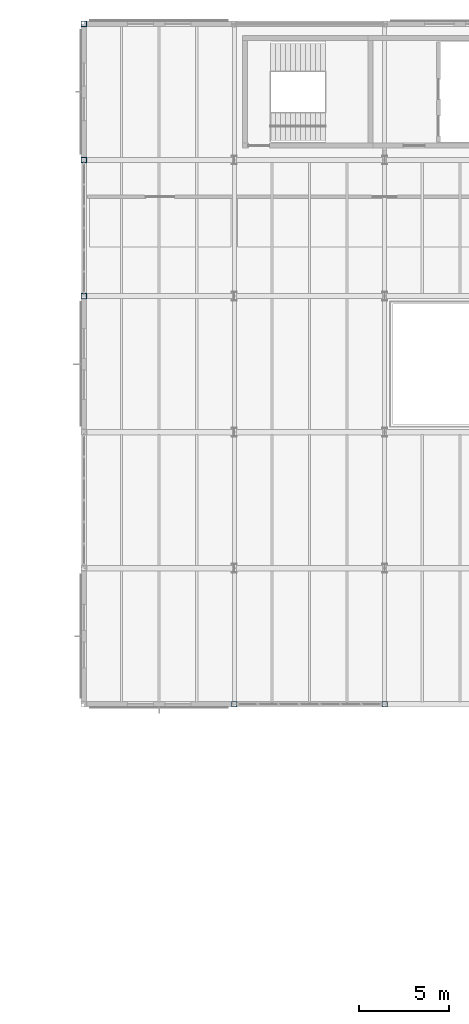
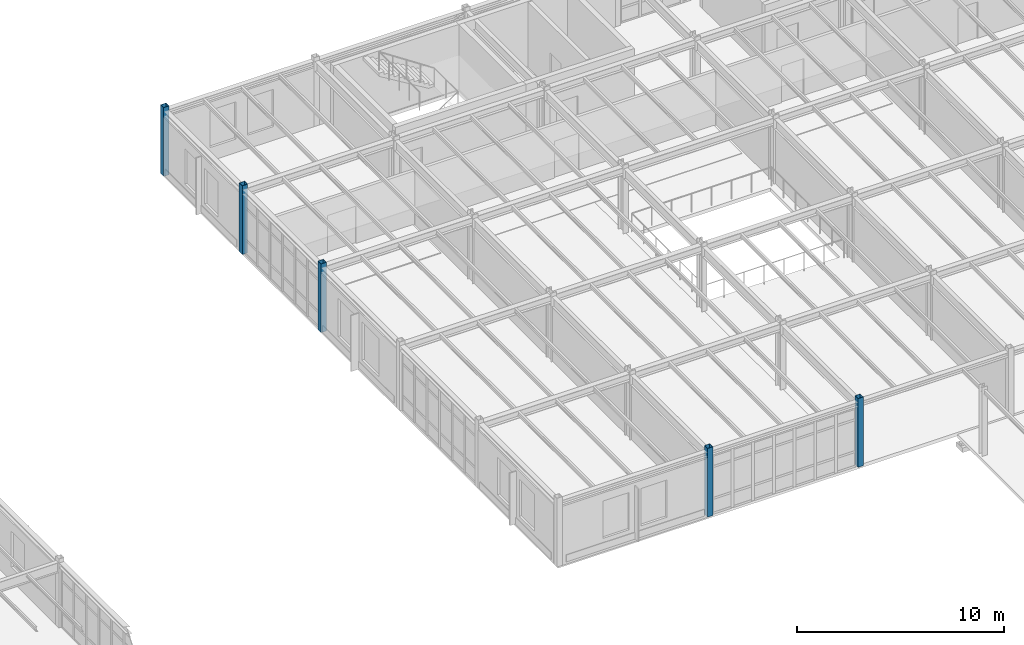
# One storey, part 12 of 165: 5 columns.
"""IFC4 building model written with IfcOpenShell, lengths in metres."""

from ifc_helpers import new_model, si_unit, direction, frame, origin, origin_2d, place, context, subcontext, project, spatial, hollow_rectangle, extrude, material, material_profile, profile_set, type_object, element, save


model = new_model("IFC4")

# Units and contexts
model_context = context("Model", 3, precision=1e-05, world=origin(), true_north=direction((0.0, 1.0)))
body_context = subcontext(model_context, "Body", "Model", "MODEL_VIEW")
ifc_project = project(units=[si_unit("LENGTHUNIT", "METRE"), si_unit("AREAUNIT", "SQUARE_METRE"), si_unit("VOLUMEUNIT", "CUBIC_METRE"), si_unit("PLANEANGLEUNIT", "RADIAN"), si_unit("MASSUNIT", "GRAM", prefix="KILO")], contexts=[model_context])

# Site, building, storey
site_placement = place(None, origin())
site = spatial("IfcSite", under=ifc_project, at=site_placement, CompositionType="ELEMENT")
building_placement = place(site_placement, origin())
building = spatial("IfcBuilding", under=site, at=building_placement, Name="Montecoro Central Library", CompositionType="ELEMENT")
storey_placement = place(building_placement, frame((0.0, 0.0, 5.10009765625)))
storey = spatial("IfcBuildingStorey", under=building, at=storey_placement, Name="L01", CompositionType="ELEMENT", Elevation=5.10009765625)

# Columns
ifc_material = material(Name="Steel S355", Category="steel")
ifc_material_profile = material_profile(ifc_material, hollow_rectangle(XDim=0.300048828125, YDim=0.300048828125, WallThickness=0.012451171875, at=origin_2d()), Name="SHS 300x300x12.5")
ifc_profile_set = profile_set([ifc_material_profile], Name="Steel S355")
column_type = type_object("IfcColumnType", Name="COL-SHS300", PredefinedType="COLUMN", material=ifc_profile_set)
for number, where, z_axis, x_axis, name in (
    (1, (66.39990234375, 103.800048828125, 0.0), (0.0, 0.0, 1.0), (1.0, 0.0, 0.0), "V2-L01-COL-9-P"),
    (2, (66.39990234375, 111.39990234375, 0.0), (0.0, 0.0, 1.0), (1.0, 0.0, 0.0), "V2-L01-COL-9-Q"),
    (3, (66.39990234375, 119.0, 0.0), (0.0, 0.0, 1.0), (1.0, 0.0, 0.0), "V2-L01-COL-9-R"),
    (4, (74.800048828125, 81.0, 0.0), (0.0, 0.0, 1.0), (1.0, 0.0, 0.0), "V2-L01-COL-10-L"),
    (5, (83.199951171875, 81.0, 0.0), (0.0, 0.0, 1.0), (1.0, 0.0, 0.0), "V2-L01-COL-11-L"),
):
    element("IfcColumn", number, at=place(storey_placement, frame(where, z_axis=z_axis, x_axis=x_axis)), inside=storey, type_object=column_type, Name=name, PredefinedType="COLUMN", context=body_context, shape_type="SweptSolid", body=[
        extrude(hollow_rectangle(XDim=0.300048828125, YDim=0.300048828125, WallThickness=0.012451171875, at=origin_2d()), origin(), (0.0, 0.0, 1.0), 4.054931640625),
    ])

save(model, "model.ifc")
